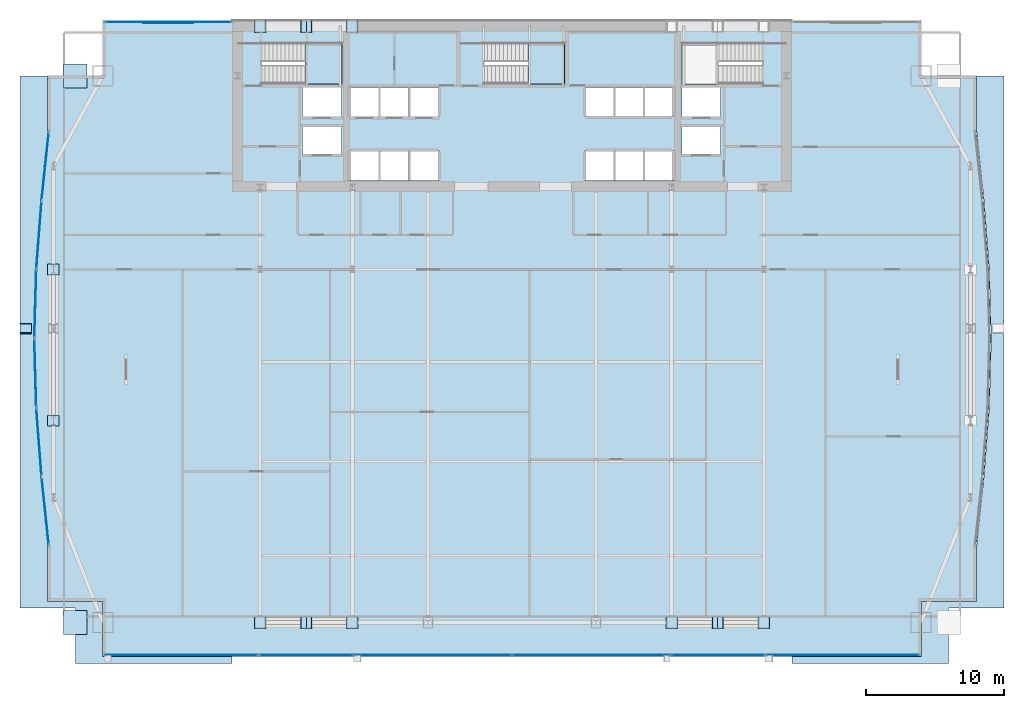
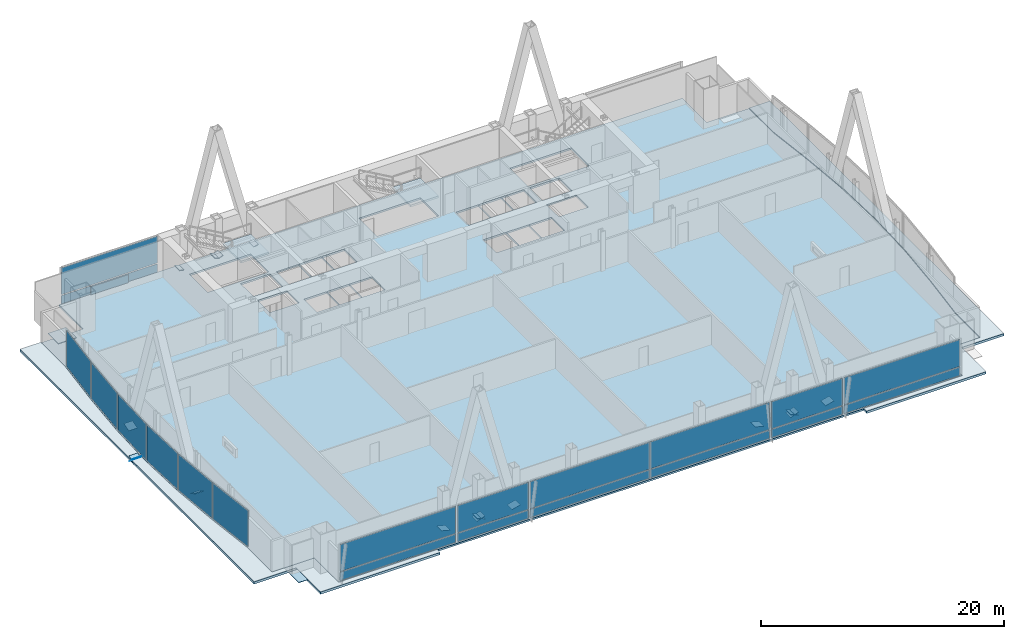
# One storey, part 25 of 32: 39 plates, 5 slabs, 14 elements without a shape of their own.
"""IFC4 building model written with IfcOpenShell, lengths in metres."""

import ifcopenshell
import ifcopenshell.guid

model = None  # the IFC model being written
_history = None  # IfcOwnerHistory: only IFC2X3 demands one
_inside = {}  # id of a spatial element -> (the spatial element, [elements in it])
_under = {}  # id of a project, library or spatial element -> (it, [spatial elements below it])
_declared = {}  # id of a project -> (the project, [libraries it declares])
_typed = {}  # id of a type object -> (the type object, [elements of that type])
_made_of = {}  # id of a material, layer set ... -> (it, [elements and type objects made of it])


def new_model(schema):
    """Start an empty IFC model of exactly this schema.

    Asked for "IFC4X3", IfcOpenShell would pick the latest addendum, in which some entities
    have other attributes; the version numbers below select the first issue.
    IFC2X3 requires an IfcOwnerHistory on every rooted entity: one is made here for all.
    """
    global model, _history
    if schema == "IFC4X3":
        model = ifcopenshell.file(schema_version=(4, 3, 0, 0))
    else:
        model = ifcopenshell.file(schema=schema)
    _inside.clear()
    _under.clear()
    _declared.clear()
    _typed.clear()
    _made_of.clear()
    _history = None
    if model.schema == "IFC2X3":
        org = make("IfcOrganization", Name="unknown")
        user = make(
            "IfcPersonAndOrganization",
            ThePerson=make("IfcPerson", FamilyName="unknown"),
            TheOrganization=org,
        )
        app = make(
            "IfcApplication",
            ApplicationDeveloper=org,
            Version="unknown",
            ApplicationFullName="unknown",
            ApplicationIdentifier="unknown",
        )
        _history = make(
            "IfcOwnerHistory",
            OwningUser=user,
            OwningApplication=app,
            ChangeAction="ADDED",
            CreationDate=0,
        )
    return model


def make(cls, **values):
    """One entity of the class cls with the attributes given. An attribute that is None is left unset."""
    return model.create_entity(
        cls, **{name: value for name, value in values.items() if value is not None}
    )


def rooted(cls, **values):
    """An entity with a GlobalId (a new one), such as an element, a storey or a relation."""
    return make(cls, GlobalId=ifcopenshell.guid.new(), OwnerHistory=_history, **values)


def si_unit(unit_type, name, prefix=None):
    """IfcSIUnit, for example si_unit("LENGTHUNIT", "METRE", prefix="MILLI")."""
    return make("IfcSIUnit", UnitType=unit_type, Prefix=prefix, Name=name)


def assignment(units):
    """IfcUnitAssignment: the units of a project."""
    return None if units is None else make("IfcUnitAssignment", Units=units)


def point(xyz):
    """IfcCartesianPoint."""
    return None if xyz is None else make("IfcCartesianPoint", Coordinates=xyz)


def direction(xyz):
    """IfcDirection."""
    return None if xyz is None else make("IfcDirection", DirectionRatios=xyz)


def frame(location, z_axis=None, x_axis=None):
    """IfcAxis2Placement3D, a coordinate frame: its origin and axes. An axis left out is left unset."""
    return make(
        "IfcAxis2Placement3D",
        Location=point(location),
        Axis=direction(z_axis),
        RefDirection=direction(x_axis),
    )


def frame_2d(location, x_axis=None):
    """IfcAxis2Placement2D, a coordinate frame in the plane: its origin and x axis."""
    return make(
        "IfcAxis2Placement2D", Location=point(location), RefDirection=direction(x_axis)
    )


def origin():
    """The frame at (0, 0, 0) with its axes left unset."""
    return frame((0.0, 0.0, 0.0))


def origin_2d():
    """The frame at (0, 0) in the plane with its x axis left unset."""
    return frame_2d((0.0, 0.0))


def place(relative_to, where):
    """IfcLocalPlacement: puts the frame where relative to a parent placement (None: the world)."""
    return make(
        "IfcLocalPlacement", PlacementRelTo=relative_to, RelativePlacement=where
    )


def context(
    kind, dimensions, precision=None, world=None, true_north=None, identifier=None
):
    """IfcGeometricRepresentationContext, for example the 3D "Model" context."""
    return make(
        "IfcGeometricRepresentationContext",
        ContextIdentifier=identifier,
        ContextType=kind,
        CoordinateSpaceDimension=dimensions,
        Precision=precision,
        WorldCoordinateSystem=world,
        TrueNorth=true_north,
    )


def subcontext(parent, identifier, kind, view, scale=None):
    """IfcGeometricRepresentationSubContext, for example "Body" below "Model"."""
    return make(
        "IfcGeometricRepresentationSubContext",
        ContextIdentifier=identifier,
        ContextType=kind,
        ParentContext=parent,
        TargetScale=scale,
        TargetView=view,
    )


def project(units=None, contexts=None):
    """IfcProject with its units and contexts."""
    return rooted(
        "IfcProject",
        Name="project",
        RepresentationContexts=contexts,
        UnitsInContext=assignment(units),
    )


def spatial(cls, under=None, at=None, **own):
    """A site, building, storey or space (cls), placed at a placement, below another one or the project."""
    s = rooted(cls, ObjectPlacement=at, **own)
    if under is not None:
        _under.setdefault(under.id(), (under, []))[1].append(s)
    return s


def polyline(points):
    """IfcPolyline through the points."""
    return make("IfcPolyline", Points=[point(p) for p in points])


def profile(cls, at=None, kind="AREA", **sizes):
    """A parametric profile (cls). Its sizes go by their IFC names, for example OverallWidth=200.0."""
    return make(cls, ProfileType=kind, Position=at, **sizes)


def rectangle(**sizes):
    """IfcRectangleProfileDef."""
    return profile("IfcRectangleProfileDef", **sizes)


def outline(outer, holes=None, kind="AREA"):
    """IfcArbitraryClosedProfileDef: a profile drawn as a closed curve; with holes, ...WithVoids."""
    if holes is None:
        return make("IfcArbitraryClosedProfileDef", ProfileType=kind, OuterCurve=outer)
    return make(
        "IfcArbitraryProfileDefWithVoids",
        ProfileType=kind,
        OuterCurve=outer,
        InnerCurves=holes,
    )


def extrude(swept, where, along, depth):
    """IfcExtrudedAreaSolid: the profile swept, set in the frame where, extruded along a direction by depth."""
    return make(
        "IfcExtrudedAreaSolid",
        SweptArea=swept,
        Position=where,
        ExtrudedDirection=direction(along),
        Depth=depth,
    )


def shape(context_of_items, identifier, shape_type, items):
    """IfcShapeRepresentation: the items that make up one representation, for example the "Body"."""
    return make(
        "IfcShapeRepresentation",
        ContextOfItems=context_of_items,
        RepresentationIdentifier=identifier,
        RepresentationType=shape_type,
        Items=items,
    )


def material(Name=None, Category=None):
    """IfcMaterial."""
    return make("IfcMaterial", Name=Name, Category=Category)


def layer(
    of_material, thickness, ventilated=None, Name=None, Category=None, Priority=None
):
    """IfcMaterialLayer: one layer of a wall or slab, of a material (None: an air gap)."""
    return make(
        "IfcMaterialLayer",
        Material=of_material,
        LayerThickness=thickness,
        IsVentilated=ventilated,
        Name=Name,
        Category=Category,
        Priority=Priority,
    )


def layer_set(layers, Name=None):
    """IfcMaterialLayerSet."""
    return make("IfcMaterialLayerSet", MaterialLayers=layers, LayerSetName=Name)


def made_of(thing, what):
    """Note that an element or type object is made of a material, layer set ...; save() writes the relation."""
    if what is not None:
        _made_of.setdefault(what.id(), (what, []))[1].append(thing)
    return thing


def type_object(cls, material=None, **own):
    """A type object (cls), such as IfcWallType, which elements share."""
    return made_of(rooted(cls, **own), material)


def element(
    cls,
    number,
    at=None,
    inside=None,
    cuts=None,
    type_object=None,
    material=None,
    context=None,
    identifier="Body",
    shape_type=None,
    held_by="IfcProductDefinitionShape",
    body=None,
    shapes=None,
    **own,
):
    """One element of the class cls, such as IfcWall. Its Tag is "e" and its number.

    at: its placement. inside: the storey or other place that contains it. cuts: it is an
    opening in that element (IfcRelVoidsElement). A single representation is given by context,
    identifier, shape_type and body (its items); several are given by shapes. held_by: the class
    of the entity that holds the representations. save() writes the other relations.
    """
    e = rooted(cls, Tag="e%d" % number, ObjectPlacement=at, **own)
    if body is not None:
        shapes = [shape(context, identifier, shape_type, body)]
    if shapes is not None:
        e.Representation = make(held_by, Representations=shapes)
    if inside is not None:
        _inside.setdefault(inside.id(), (inside, []))[1].append(e)
    if cuts is not None:
        rooted(
            "IfcRelVoidsElement", RelatingBuildingElement=cuts, RelatedOpeningElement=e
        )
    if type_object is not None:
        _typed.setdefault(type_object.id(), (type_object, []))[1].append(e)
    return made_of(e, material)


def aggregate(whole, parts):
    """IfcRelAggregates: a whole, such as a stair, and the parts it consists of."""
    return rooted("IfcRelAggregates", RelatingObject=whole, RelatedObjects=parts)


def save(model, path):
    """Write the relations noted so far, then the file.

    IfcRelAggregates (storeys below a building ...), IfcRelContainedInSpatialStructure (elements
    in a storey), IfcRelDefinesByType, IfcRelAssociatesMaterial and IfcRelDeclares: one each for
    every whole, place, type object, material and project.
    """
    for whole, parts in _under.values():
        aggregate(whole, parts)
    for where, things in _inside.values():
        rooted(
            "IfcRelContainedInSpatialStructure",
            RelatedElements=things,
            RelatingStructure=where,
        )
    for kind, things in _typed.values():
        rooted("IfcRelDefinesByType", RelatedObjects=things, RelatingType=kind)
    for what, things in _made_of.values():
        rooted("IfcRelAssociatesMaterial", RelatedObjects=things, RelatingMaterial=what)
    for by, libraries in _declared.values():
        rooted("IfcRelDeclares", RelatingContext=by, RelatedDefinitions=libraries)
    model.write(path)


model = new_model("IFC4")

# Units and contexts
model_context = context("Model", 3, precision=1e-05, world=origin(), true_north=direction((0.0, 1.0)))
body_context = subcontext(model_context, "Body", "Model", "MODEL_VIEW")
ifc_project = project(units=[si_unit("LENGTHUNIT", "METRE"), si_unit("AREAUNIT", "SQUARE_METRE"), si_unit("VOLUMEUNIT", "CUBIC_METRE"), si_unit("PLANEANGLEUNIT", "RADIAN"), si_unit("MASSUNIT", "GRAM", prefix="KILO")], contexts=[model_context])

# Site, building, storey
site_placement = place(None, origin())
site = spatial("IfcSite", under=ifc_project, at=site_placement, CompositionType="ELEMENT")
building_placement = place(site_placement, origin())
building = spatial("IfcBuilding", under=site, at=building_placement, Name="Khoronbel Lancet Exchange", CompositionType="ELEMENT")
storey_placement = place(building_placement, frame((0.0, 0.0, 81.800048828125)))
storey = spatial("IfcBuildingStorey", under=building, at=storey_placement, Name="L19", CompositionType="ELEMENT", Elevation=81.800048828125)

# Curtain wall, plate
ifc_material_1 = material(Name="Low-E Solar Control Insulating Glass", Category="glass")
curtain_wall_type_1 = type_object("IfcCurtainWallType", Name="CW-4", PredefinedType="NOTDEFINED", material=ifc_material_1)
curtain_wall_1_placement = place(storey_placement, origin())
curtain_wall_1 = element("IfcCurtainWall", 1, at=curtain_wall_1_placement, inside=storey, type_object=curtain_wall_type_1, Name="Unitised curtain wall CW-L19-E05", PredefinedType="NOTDEFINED")
ifc_material_2 = material(Name="Bronze-Anodised Aluminium 6063-T6", Category="aluminium")
ifc_layer_1 = layer(ifc_material_2, 0.050048828125, Name="Bronze-Anodised Aluminium 6063-T6")
ifc_layer_set_1 = layer_set([ifc_layer_1], Name="Bronze-Anodised Aluminium 6063-T6")
plate_type_1 = type_object("IfcPlateType", Name="PLT-CSP1", PredefinedType="SHEET", material=ifc_layer_set_1)
plate_1_placement = place(storey_placement, frame((2.22265625, 23.206298828125, 0.0849609375), z_axis=(0.0, 0.0, 1.0), x_axis=(-0.076626304874, 0.997059882555, 0.0)))
plate_1 = element("IfcPlate", 2, at=plate_1_placement, type_object=plate_type_1, Name="CW4 panel 1.1", PredefinedType="CURTAIN_PANEL", context=body_context, shape_type="SweptSolid", body=[
    extrude(rectangle(XDim=4.861328125, YDim=0.0380859375, at=origin_2d()), origin(), (0.0, 0.0, 1.0), 3.610107421875),
])
aggregate(curtain_wall_1, [plate_1])

curtain_wall_2_placement = place(storey_placement, origin())
curtain_wall_2 = element("IfcCurtainWall", 3, at=curtain_wall_2_placement, inside=storey, type_object=curtain_wall_type_1, Name="Unitised curtain wall CW-L19-E06", PredefinedType="NOTDEFINED")
plate_2_placement = place(storey_placement, frame((1.960205078125, 28.202392578125, 0.0849609375), z_axis=(0.0, 0.0, 1.0), x_axis=(-0.028135315146, 0.999604123662, 0.0)))
plate_2 = element("IfcPlate", 4, at=plate_2_placement, type_object=plate_type_1, Name="CW4 panel 1.1", PredefinedType="CURTAIN_PANEL", context=body_context, shape_type="SweptSolid", body=[
    extrude(rectangle(XDim=4.84716796875, YDim=0.0380859375, at=origin_2d()), origin(), (0.0, 0.0, 1.0), 3.610107421875),
])
aggregate(curtain_wall_2, [plate_2])

curtain_wall_3_placement = place(storey_placement, origin())
curtain_wall_3 = element("IfcCurtainWall", 5, at=curtain_wall_3_placement, inside=storey, type_object=curtain_wall_type_1, Name="Unitised curtain wall CW-L19-E07", PredefinedType="NOTDEFINED")
plate_3_placement = place(storey_placement, frame((1.960205078125, 33.19775390625, 0.0849609375), z_axis=(0.0, 0.0, 1.0), x_axis=(0.028135315146, 0.999604123662, 0.0)))
plate_3 = element("IfcPlate", 6, at=plate_3_placement, type_object=plate_type_1, Name="CW4 panel 1.1", PredefinedType="CURTAIN_PANEL", context=body_context, shape_type="SweptSolid", body=[
    extrude(rectangle(XDim=4.84716796875, YDim=0.0380859375, at=origin_2d()), origin(), (0.0, 0.0, 1.0), 3.610107421875),
])
aggregate(curtain_wall_3, [plate_3])

curtain_wall_4_placement = place(storey_placement, origin())
curtain_wall_4 = element("IfcCurtainWall", 7, at=curtain_wall_4_placement, inside=storey, type_object=curtain_wall_type_1, Name="Unitised curtain wall CW-L19-E08", PredefinedType="NOTDEFINED")
plate_4_placement = place(storey_placement, frame((2.22265625, 38.193603515625, 0.0849609375), z_axis=(0.0, 0.0, 1.0), x_axis=(0.076626304874, 0.997059882555, 0.0)))
plate_4 = element("IfcPlate", 8, at=plate_4_placement, type_object=plate_type_1, Name="CW4 panel 1.1", PredefinedType="CURTAIN_PANEL", context=body_context, shape_type="SweptSolid", body=[
    extrude(rectangle(XDim=4.861328125, YDim=0.0380859375, at=origin_2d()), origin(), (0.0, 0.0, 1.0), 3.610107421875),
])
aggregate(curtain_wall_4, [plate_4])

curtain_wall_type_2 = type_object("IfcCurtainWallType", Name="CW-2", PredefinedType="NOTDEFINED", material=ifc_material_1)
curtain_wall_5_placement = place(storey_placement, origin())
curtain_wall_5 = element("IfcCurtainWall", 9, at=curtain_wall_5_placement, inside=storey, type_object=curtain_wall_type_2, Name="Unitised curtain wall CW-L19-NWFLK", PredefinedType="NOTDEFINED")
plate_5_placement = place(storey_placement, frame((11.580078125, 53.550048828125, 0.0498046875), z_axis=(0.0, 0.0, 1.0), x_axis=(-1.0, 0.0, 0.0)))
plate_5 = element("IfcPlate", 10, at=plate_5_placement, type_object=plate_type_1, Name="Insulated bronze spandrel cassette CW-L19-NWFLK", PredefinedType="SHEET", context=body_context, shape_type="SweptSolid", body=[
    extrude(rectangle(XDim=3.60009765625, YDim=0.050048828125, at=origin_2d()), origin(), (0.0, 0.0, 1.0), 0.800048828125),
])

# Curtain wall, plates
curtain_wall_6_placement = place(storey_placement, origin())
curtain_wall_6 = element("IfcCurtainWall", 11, at=curtain_wall_6_placement, inside=storey, type_object=curtain_wall_type_2, Name="Unitised curtain wall CW-L19-SWB", PredefinedType="NOTDEFINED")
plate_6_placement = place(storey_placement, frame((21.550048828125, 7.7900390625, 0.0849609375), z_axis=(0.0, 0.0, 1.0), x_axis=(1.0, 0.0, 0.0)))
plate_6 = element("IfcPlate", 12, at=plate_6_placement, type_object=plate_type_1, Name="CW2 panel 1.1", PredefinedType="CURTAIN_PANEL", context=body_context, shape_type="SweptSolid", body=[
    extrude(rectangle(XDim=6.72998046875, YDim=0.0380859375, at=origin_2d()), origin(), (0.0, 0.0, 1.0), 0.822509765625),
])
plate_7_placement = place(storey_placement, frame((21.550048828125, 7.7900390625, 0.99267578125), z_axis=(0.0, 0.0, 1.0), x_axis=(1.0, 0.0, 0.0)))
plate_7 = element("IfcPlate", 13, at=plate_7_placement, type_object=plate_type_1, Name="CW2 panel 1.2", PredefinedType="CURTAIN_PANEL", context=body_context, shape_type="SweptSolid", body=[
    extrude(rectangle(XDim=6.72998046875, YDim=0.0380859375, at=origin_2d()), origin(), (0.0, 0.0, 1.0), 2.702392578125),
])
aggregate(curtain_wall_6, [plate_6, plate_7])

curtain_wall_7_placement = place(storey_placement, origin())
curtain_wall_7 = element("IfcCurtainWall", 14, at=curtain_wall_7_placement, inside=storey, type_object=curtain_wall_type_2, Name="Unitised curtain wall CW-L19-SEB", PredefinedType="NOTDEFINED")
plate_8_placement = place(storey_placement, frame((51.35009765625, 7.7900390625, 0.0849609375), z_axis=(0.0, 0.0, 1.0), x_axis=(1.0, 0.0, 0.0)))
plate_8 = element("IfcPlate", 15, at=plate_8_placement, type_object=plate_type_1, Name="CW2 panel 1.1", PredefinedType="CURTAIN_PANEL", context=body_context, shape_type="SweptSolid", body=[
    extrude(rectangle(XDim=6.72998046875, YDim=0.0380859375, at=origin_2d()), origin(), (0.0, 0.0, 1.0), 0.822509765625),
])
plate_9_placement = place(storey_placement, frame((51.35009765625, 7.7900390625, 0.99267578125), z_axis=(0.0, 0.0, 1.0), x_axis=(1.0, 0.0, 0.0)))
plate_9 = element("IfcPlate", 16, at=plate_9_placement, type_object=plate_type_1, Name="CW2 panel 1.2", PredefinedType="CURTAIN_PANEL", context=body_context, shape_type="SweptSolid", body=[
    extrude(rectangle(XDim=6.72998046875, YDim=0.0380859375, at=origin_2d()), origin(), (0.0, 0.0, 1.0), 2.702392578125),
])
aggregate(curtain_wall_7, [plate_8, plate_9])

# Plate
ifc_layer_2 = layer(ifc_material_1, 0.035888671875, Name="Low-E Solar Control Insulating Glass")
ifc_layer_set_2 = layer_set([ifc_layer_2], Name="Low-E Solar Control Insulating Glass")
plate_type_2 = type_object("IfcPlateType", Name="PLT-CWP1", PredefinedType="CURTAIN_PANEL", material=ifc_layer_set_2)
plate_10_placement = place(storey_placement, frame((11.580078125, 53.610107421875, 0.0849609375), z_axis=(0.0, 0.0, 1.0), x_axis=(-1.0, 0.0, 0.0)))
plate_10 = element("IfcPlate", 17, at=plate_10_placement, type_object=plate_type_2, Name="CW2 panel 1.1", PredefinedType="CURTAIN_PANEL", context=body_context, shape_type="SweptSolid", body=[
    extrude(rectangle(XDim=9.110107421875, YDim=0.0380859375, at=origin_2d()), origin(), (0.0, 0.0, 1.0), 0.822509765625),
])

plate_11_placement = place(storey_placement, frame((11.580078125, 53.610107421875, 0.99267578125), z_axis=(0.0, 0.0, 1.0), x_axis=(-1.0, 0.0, 0.0)))
plate_11 = element("IfcPlate", 18, at=plate_11_placement, type_object=plate_type_2, Name="CW2 panel 1.2", PredefinedType="CURTAIN_PANEL", context=body_context, shape_type="SweptSolid", body=[
    extrude(rectangle(XDim=9.110107421875, YDim=0.0380859375, at=origin_2d()), origin(), (0.0, 0.0, 1.0), 2.702392578125),
])

aggregate(curtain_wall_5, [plate_10, plate_11, plate_5])

# Curtain wall, plates
curtain_wall_8_placement = place(storey_placement, origin())
curtain_wall_8 = element("IfcCurtainWall", 19, at=curtain_wall_8_placement, inside=storey, type_object=curtain_wall_type_2, Name="Unitised curtain wall CW-L19-SWV", PredefinedType="NOTDEFINED")
plate_12_placement = place(storey_placement, frame((12.52001953125, 7.7900390625, 0.0849609375), z_axis=(0.0, 0.0, 1.0), x_axis=(1.0, 0.0, 0.0)))
plate_12 = element("IfcPlate", 20, at=plate_12_placement, type_object=plate_type_2, Name="CW2 panel 1.1", PredefinedType="CURTAIN_PANEL", context=body_context, shape_type="SweptSolid", body=[
    extrude(rectangle(XDim=10.989990234375, YDim=0.0380859375, at=origin_2d()), origin(), (0.0, 0.0, 1.0), 0.822509765625),
])
plate_13_placement = place(storey_placement, frame((12.52001953125, 7.7900390625, 0.99267578125), z_axis=(0.0, 0.0, 1.0), x_axis=(1.0, 0.0, 0.0)))
plate_13 = element("IfcPlate", 21, at=plate_13_placement, type_object=plate_type_2, Name="CW2 panel 1.2", PredefinedType="CURTAIN_PANEL", context=body_context, shape_type="SweptSolid", body=[
    extrude(rectangle(XDim=10.989990234375, YDim=0.0380859375, at=origin_2d()), origin(), (0.0, 0.0, 1.0), 2.702392578125),
])
aggregate(curtain_wall_8, [plate_12, plate_13])

curtain_wall_9_placement = place(storey_placement, origin())
curtain_wall_9 = element("IfcCurtainWall", 22, at=curtain_wall_9_placement, inside=storey, type_object=curtain_wall_type_2, Name="Unitised curtain wall CW-L19-SCV", PredefinedType="NOTDEFINED")
plate_14_placement = place(storey_placement, frame((30.746337890625, 7.7900390625, 0.0849609375), z_axis=(0.0, 0.0, 1.0), x_axis=(1.0, 0.0, 0.0)))
plate_14 = element("IfcPlate", 23, at=plate_14_placement, type_object=plate_type_2, Name="CW2 panel 1.1", PredefinedType="CURTAIN_PANEL", context=body_context, shape_type="SweptSolid", body=[
    extrude(rectangle(XDim=11.322509765625, YDim=0.0380859375, at=origin_2d()), origin(), (0.0, 0.0, 1.0), 0.822509765625),
])
plate_15_placement = place(storey_placement, frame((30.746337890625, 7.7900390625, 0.99267578125), z_axis=(0.0, 0.0, 1.0), x_axis=(1.0, 0.0, 0.0)))
plate_15 = element("IfcPlate", 24, at=plate_15_placement, type_object=plate_type_2, Name="CW2 panel 1.2", PredefinedType="CURTAIN_PANEL", context=body_context, shape_type="SweptSolid", body=[
    extrude(rectangle(XDim=11.322509765625, YDim=0.0380859375, at=origin_2d()), origin(), (0.0, 0.0, 1.0), 2.702392578125),
])
plate_16_placement = place(storey_placement, frame((42.15380859375, 7.7900390625, 0.0849609375), z_axis=(0.0, 0.0, 1.0), x_axis=(1.0, 0.0, 0.0)))
plate_16 = element("IfcPlate", 25, at=plate_16_placement, type_object=plate_type_2, Name="CW2 panel 2.1", PredefinedType="CURTAIN_PANEL", context=body_context, shape_type="SweptSolid", body=[
    extrude(rectangle(XDim=11.322509765625, YDim=0.0380859375, at=origin_2d()), origin(), (0.0, 0.0, 1.0), 0.822509765625),
])
plate_17_placement = place(storey_placement, frame((42.15380859375, 7.7900390625, 0.99267578125), z_axis=(0.0, 0.0, 1.0), x_axis=(1.0, 0.0, 0.0)))
plate_17 = element("IfcPlate", 26, at=plate_17_placement, type_object=plate_type_2, Name="CW2 panel 2.2", PredefinedType="CURTAIN_PANEL", context=body_context, shape_type="SweptSolid", body=[
    extrude(rectangle(XDim=11.322509765625, YDim=0.0380859375, at=origin_2d()), origin(), (0.0, 0.0, 1.0), 2.702392578125),
])
aggregate(curtain_wall_9, [plate_14, plate_15, plate_16, plate_17])

curtain_wall_10_placement = place(storey_placement, origin())
curtain_wall_10 = element("IfcCurtainWall", 27, at=curtain_wall_10_placement, inside=storey, type_object=curtain_wall_type_2, Name="Unitised curtain wall CW-L19-SEV", PredefinedType="NOTDEFINED")
plate_18_placement = place(storey_placement, frame((60.3798828125, 7.7900390625, 0.0849609375), z_axis=(0.0, 0.0, 1.0), x_axis=(1.0, 0.0, 0.0)))
plate_18 = element("IfcPlate", 28, at=plate_18_placement, type_object=plate_type_2, Name="CW2 panel 1.1", PredefinedType="CURTAIN_PANEL", context=body_context, shape_type="SweptSolid", body=[
    extrude(rectangle(XDim=10.989990234375, YDim=0.0380859375, at=origin_2d()), origin(), (0.0, 0.0, 1.0), 0.822509765625),
])
plate_19_placement = place(storey_placement, frame((60.3798828125, 7.7900390625, 0.99267578125), z_axis=(0.0, 0.0, 1.0), x_axis=(1.0, 0.0, 0.0)))
plate_19 = element("IfcPlate", 29, at=plate_19_placement, type_object=plate_type_2, Name="CW2 panel 1.2", PredefinedType="CURTAIN_PANEL", context=body_context, shape_type="SweptSolid", body=[
    extrude(rectangle(XDim=10.989990234375, YDim=0.0380859375, at=origin_2d()), origin(), (0.0, 0.0, 1.0), 2.702392578125),
])
aggregate(curtain_wall_10, [plate_18, plate_19])

# Curtain wall, plate
curtain_wall_11_placement = place(storey_placement, origin())
curtain_wall_11 = element("IfcCurtainWall", 30, at=curtain_wall_11_placement, inside=storey, type_object=curtain_wall_type_1, Name="Unitised curtain wall CW-L19-E04", PredefinedType="NOTDEFINED")
ifc_material_3 = material(Name="Ceramic-Fritted Laminated Insulating Glass", Category="glass")
ifc_layer_3 = layer(ifc_material_3, 0.0419921875, Name="Ceramic-Fritted Laminated Insulating Glass")
ifc_layer_set_3 = layer_set([ifc_layer_3], Name="Ceramic-Fritted Laminated Insulating Glass")
plate_type_3 = type_object("IfcPlateType", Name="PLT-CWP2", PredefinedType="CURTAIN_PANEL", material=ifc_layer_set_3)
plate_20_placement = place(storey_placement, frame((2.67724609375, 18.206298828125, 0.0849609375), z_axis=(0.0, 0.0, 1.0), x_axis=(-0.104434383958, 0.994531779003, 0.0)))
plate_20 = element("IfcPlate", 31, at=plate_20_placement, type_object=plate_type_3, Name="CW4 panel 1.1", PredefinedType="CURTAIN_PANEL", context=body_context, shape_type="SweptSolid", body=[
    extrude(rectangle(XDim=4.880859375, YDim=0.0380859375, at=origin_2d()), origin(), (0.0, 0.0, 1.0), 3.610107421875),
])
aggregate(curtain_wall_11, [plate_20])

curtain_wall_12_placement = place(storey_placement, origin())
curtain_wall_12 = element("IfcCurtainWall", 32, at=curtain_wall_12_placement, inside=storey, type_object=curtain_wall_type_1, Name="Unitised curtain wall CW-L19-E09", PredefinedType="NOTDEFINED")
plate_21_placement = place(storey_placement, frame((2.67724609375, 43.193603515625, 0.0849609375), z_axis=(0.0, 0.0, 1.0), x_axis=(0.104434383958, 0.994531779003, 0.0)))
plate_21 = element("IfcPlate", 33, at=plate_21_placement, type_object=plate_type_3, Name="CW4 panel 1.1", PredefinedType="CURTAIN_PANEL", context=body_context, shape_type="SweptSolid", body=[
    extrude(rectangle(XDim=4.880859375, YDim=0.0380859375, at=origin_2d()), origin(), (0.0, 0.0, 1.0), 3.610107421875),
])
aggregate(curtain_wall_12, [plate_21])

# Plates
ifc_material_4 = material(Name="Steel S460", Category="steel")
ifc_layer_4 = layer(ifc_material_4, 0.044921875, Name="Steel S460")
ifc_layer_set_4 = layer_set([ifc_layer_4], Name="Steel S460")
plate_type_4 = type_object("IfcPlateType", Name="PLT-ECP1", PredefinedType="USERDEFINED", material=ifc_layer_set_4)
plate_22_placement = place(storey_placement, frame((0.0, 0.0, -0.011962890625)))
element("IfcPlate", 34, at=plate_22_placement, inside=storey, type_object=plate_type_4, Name="Hollow end cap plate PLT-CAP-COL-L18-MC-SW-TOP", ObjectType="STIFFENER_PLATE", PredefinedType="USERDEFINED", context=body_context, shape_type="SweptSolid", body=[
    extrude(outline(polyline([(3.9951171875, 9.294921875), (5.705078125, 9.294921875), (5.705078125, 11.0048828125), (3.9951171875, 11.0048828125), (3.9951171875, 9.294921875)])), origin(), (0.0, 0.0, 1.0), 0.044921875),
])
plate_23_placement = place(storey_placement, frame((0.0, 0.0, -0.011962890625)))
element("IfcPlate", 35, at=plate_23_placement, inside=storey, type_object=plate_type_4, Name="Hollow end cap plate PLT-CAP-COL-L18-MC-NW-TOP", ObjectType="STIFFENER_PLATE", PredefinedType="USERDEFINED", context=body_context, shape_type="SweptSolid", body=[
    extrude(outline(polyline([(3.9951171875, 48.844970703125), (5.705078125, 48.844970703125), (5.705078125, 50.554931640625), (3.9951171875, 50.554931640625), (3.9951171875, 48.844970703125)])), origin(), (0.0, 0.0, 1.0), 0.044921875),
])
for number, where, z_axis, x_axis, name in (
    (36, (21.962890625, 9.72998046875, -0.13134765625), (0.385028014366, 0.0, 0.922904885756), (0.0, 1.0, 0.0), "Hollow end cap plate PLT-CAP-MEM-MB-T05-S-W-L-1"),
    (37, (21.162109375, 10.570068359375, -0.13134765625), (-0.385028014366, 0.0, 0.922904885756), (0.0, -1.0, 0.0), "Hollow end cap plate PLT-CAP-MEM-MB-T05-S-W-R-1"),
):
    element("IfcPlate", number, at=place(storey_placement, frame(where, z_axis=z_axis, x_axis=x_axis)), inside=storey, type_object=plate_type_4, Name=name, ObjectType="STIFFENER_PLATE", PredefinedType="USERDEFINED", context=body_context, shape_type="SweptSolid", body=[
        extrude(outline(polyline([(0.0, 0.0), (0.840087890625, 0.0), (0.840087890625, 0.840087890625), (0.0, 0.840087890625), (0.0, 0.0)])), origin(), (0.0, 0.0, -1.0), 0.044921875),
    ])
for number, where, z_axis, x_axis, name in (
    (38, (51.73779296875, 9.72998046875, -0.13134765625), (0.385131298134, 0.0, 0.922861789868), (0.0, 1.0, 0.0), "Hollow end cap plate PLT-CAP-MEM-MB-T05-S-E-L-1"),
    (39, (50.937255859375, 10.570068359375, -0.13134765625), (-0.385131298134, 0.0, 0.922861789868), (0.0, -1.0, 0.0), "Hollow end cap plate PLT-CAP-MEM-MB-T05-S-E-R-1"),
):
    element("IfcPlate", number, at=place(storey_placement, frame(where, z_axis=z_axis, x_axis=x_axis)), inside=storey, type_object=plate_type_4, Name=name, ObjectType="STIFFENER_PLATE", PredefinedType="USERDEFINED", context=body_context, shape_type="SweptSolid", body=[
        extrude(outline(polyline([(0.0, 0.0), (0.840087890625, 0.0), (0.840087890625, 0.83984375), (0.0, 0.83984375), (0.0, 0.0)])), origin(), (0.0, 0.0, -1.0), 0.044921875),
    ])
for number, where, z_axis, x_axis, name in (
    (40, (21.962890625, 52.860107421875, -0.13134765625), (0.385028014366, 0.0, 0.922904885756), (0.0, 1.0, 0.0), "Hollow end cap plate PLT-CAP-MEM-MB-T05-N-W-L-1"),
    (41, (21.162109375, 53.699951171875, -0.13134765625), (-0.385028014366, 0.0, 0.922904885756), (0.0, -1.0, 0.0), "Hollow end cap plate PLT-CAP-MEM-MB-T05-N-W-R-1"),
    (42, (1.68994140625, 31.7685546875, -0.243896484375), (0.0, 0.640755879276, 0.76774468619), (-1.0, 0.0, 0.0), "Hollow end cap plate PLT-CAP-MEM-MB-T05-W-P-L-1"),
):
    element("IfcPlate", number, at=place(storey_placement, frame(where, z_axis=z_axis, x_axis=x_axis)), inside=storey, type_object=plate_type_4, Name=name, ObjectType="STIFFENER_PLATE", PredefinedType="USERDEFINED", context=body_context, shape_type="SweptSolid", body=[
        extrude(outline(polyline([(0.0, 0.0), (0.83984375, 0.0), (0.83984375, 0.840087890625), (0.0, 0.840087890625), (0.0, 0.0)])), origin(), (0.0, 0.0, -1.0), 0.044921875),
    ])
plate_24_placement = place(storey_placement, frame((0.85009765625, 31.0390625, -0.1689453125), z_axis=(0.0, -0.471463024334, 0.881885829734), x_axis=(1.0, 0.0, 0.0)))
element("IfcPlate", 43, at=plate_24_placement, inside=storey, type_object=plate_type_4, Name="Hollow end cap plate PLT-CAP-MEM-MB-T05-W-P-R-1", ObjectType="STIFFENER_PLATE", PredefinedType="USERDEFINED", context=body_context, shape_type="SweptSolid", body=[
    extrude(outline(polyline([(0.0, 0.0), (0.83984375, 0.0), (0.83984375, 0.83984375), (0.0, 0.83984375), (0.0, 0.0)])), origin(), (0.0, 0.0, -1.0), 0.044921875),
])
for number, where, z_axis, x_axis, name in (
    (44, (18.634521484375, 9.72998046875, -0.094482421875), (0.252232622702, 0.0, 0.967666628568), (0.0, 1.0, 0.0), "Hollow end cap plate PLT-CAP-MEM-MB-T06-S-W-L-0"),
    (45, (24.490478515625, 10.570068359375, -0.094482421875), (-0.252232622702, 0.0, 0.967666628568), (0.0, -1.0, 0.0), "Hollow end cap plate PLT-CAP-MEM-MB-T06-S-W-R-0"),
):
    element("IfcPlate", number, at=place(storey_placement, frame(where, z_axis=z_axis, x_axis=x_axis)), inside=storey, type_object=plate_type_4, Name=name, ObjectType="STIFFENER_PLATE", PredefinedType="USERDEFINED", context=body_context, shape_type="SweptSolid", body=[
        extrude(outline(polyline([(0.0, 0.0), (0.840087890625, 0.0), (0.840087890625, 0.840087890625), (0.0, 0.840087890625), (0.0, 0.0)])), origin(), (0.0, 0.0, -1.0), 0.044921875),
    ])
for number, where, z_axis, x_axis, name in (
    (46, (48.409423828125, 9.72998046875, -0.094482421875), (0.252303568477, 0.0, 0.967648133018), (0.0, 1.0, 0.0), "Hollow end cap plate PLT-CAP-MEM-MB-T06-S-E-L-0"),
    (47, (54.265625, 10.570068359375, -0.094482421875), (-0.252303568477, 0.0, 0.967648133018), (0.0, -1.0, 0.0), "Hollow end cap plate PLT-CAP-MEM-MB-T06-S-E-R-0"),
):
    element("IfcPlate", number, at=place(storey_placement, frame(where, z_axis=z_axis, x_axis=x_axis)), inside=storey, type_object=plate_type_4, Name=name, ObjectType="STIFFENER_PLATE", PredefinedType="USERDEFINED", context=body_context, shape_type="SweptSolid", body=[
        extrude(outline(polyline([(0.0, 0.0), (0.840087890625, 0.0), (0.840087890625, 0.83984375), (0.0, 0.83984375), (0.0, 0.0)])), origin(), (0.0, 0.0, -1.0), 0.044921875),
    ])
for number, where, z_axis, x_axis, name in (
    (48, (18.634521484375, 52.860107421875, -0.094482421875), (0.252232622702, 0.0, 0.967666628568), (0.0, 1.0, 0.0), "Hollow end cap plate PLT-CAP-MEM-MB-T06-N-W-L-0"),
    (49, (24.490478515625, 53.699951171875, -0.094482421875), (-0.252232622702, 0.0, 0.967666628568), (0.0, -1.0, 0.0), "Hollow end cap plate PLT-CAP-MEM-MB-T06-N-W-R-0"),
    (50, (3.68994140625, 25.1279296875, -0.18359375), (0.0, 0.462377287185, 0.886683282968), (-1.0, 0.0, 0.0), "Hollow end cap plate PLT-CAP-MEM-MB-T06-W-P-L-0"),
):
    element("IfcPlate", number, at=place(storey_placement, frame(where, z_axis=z_axis, x_axis=x_axis)), inside=storey, type_object=plate_type_4, Name=name, ObjectType="STIFFENER_PLATE", PredefinedType="USERDEFINED", context=body_context, shape_type="SweptSolid", body=[
        extrude(outline(polyline([(0.0, 0.0), (0.83984375, 0.0), (0.83984375, 0.840087890625), (0.0, 0.840087890625), (0.0, 0.0)])), origin(), (0.0, 0.0, -1.0), 0.044921875),
    ])
plate_25_placement = place(storey_placement, frame((2.85009765625, 35.2978515625, -0.121826171875), z_axis=(0.0, -0.316838122626, 0.948479627641), x_axis=(1.0, 0.0, 0.0)))
element("IfcPlate", 51, at=plate_25_placement, inside=storey, type_object=plate_type_4, Name="Hollow end cap plate PLT-CAP-MEM-MB-T06-W-P-R-0", ObjectType="STIFFENER_PLATE", PredefinedType="USERDEFINED", context=body_context, shape_type="SweptSolid", body=[
    extrude(outline(polyline([(0.0, 0.0), (0.83984375, 0.0), (0.83984375, 0.83984375), (0.0, 0.83984375), (0.0, 0.0)])), origin(), (0.0, 0.0, -1.0), 0.044921875),
])

# Slab
ifc_material_5 = material(Name="Concrete C40/50", Category="concrete")
ifc_layer_5 = layer(ifc_material_5, 0.179931640625, Name="Concrete C40/50")
ifc_layer_set_5 = layer_set([ifc_layer_5], Name="Concrete C40/50")
slab_type_1 = type_object("IfcSlabType", Name="SL-FL180", PredefinedType="FLOOR", material=ifc_layer_set_5)
slab_1_placement = place(storey_placement, frame((0.0, 0.0, -0.179931640625)))
element("IfcSlab", 52, at=slab_1_placement, inside=storey, type_object=slab_type_1, Name="Level L19 composite structural floor slab", PredefinedType="FLOOR", context=body_context, shape_type="SweptSolid", body=[
    extrude(outline(polyline([(6.85009765625, 7.699951171875), (66.050048828125, 7.699951171875), (66.050048828125, 11.699951171875), (70.050048828125, 11.699951171875), (70.050048828125, 15.699951171875), (70.574951171875, 20.699951171875), (70.959228515625, 25.699951171875), (71.10009765625, 30.699951171875), (70.959228515625, 35.699951171875), (70.574951171875, 40.699951171875), (70.050048828125, 45.699951171875), (70.050048828125, 49.699951171875), (66.050048828125, 49.699951171875), (66.050048828125, 53.699951171875), (6.85009765625, 53.699951171875), (6.85009765625, 49.699951171875), (2.85009765625, 49.699951171875), (2.85009765625, 45.699951171875), (2.324951171875, 40.699951171875), (1.940673828125, 35.699951171875), (1.800048828125, 30.699951171875), (1.940673828125, 25.699951171875), (2.324951171875, 20.699951171875), (2.85009765625, 15.699951171875), (2.85009765625, 11.699951171875), (6.85009765625, 11.699951171875), (6.85009765625, 7.699951171875)]), holes=[polyline([(18.324951171875, 49.1201171875), (24.14990234375, 49.1201171875), (24.14990234375, 52.10009765625), (18.324951171875, 52.10009765625), (18.324951171875, 49.1201171875)]), polyline([(48.75, 49.1201171875), (54.574951171875, 49.1201171875), (54.574951171875, 52.10009765625), (48.75, 52.10009765625), (48.75, 49.1201171875)]), polyline([(34.425048828125, 49.1201171875), (40.25, 49.1201171875), (40.25, 52.10009765625), (34.425048828125, 52.10009765625), (34.425048828125, 49.1201171875)]), polyline([(24.699951171875, 46.75), (26.840087890625, 46.75), (26.840087890625, 48.85009765625), (24.699951171875, 48.85009765625), (24.699951171875, 46.75)]), polyline([(26.860107421875, 46.75), (29.0, 46.75), (29.0, 48.85009765625), (26.860107421875, 48.85009765625), (26.860107421875, 46.75)]), polyline([(29.02001953125, 46.75), (31.159912109375, 46.75), (31.159912109375, 48.85009765625), (29.02001953125, 48.85009765625), (29.02001953125, 46.75)]), polyline([(24.699951171875, 42.14990234375), (26.840087890625, 42.14990234375), (26.840087890625, 44.300048828125), (24.699951171875, 44.300048828125), (24.699951171875, 42.14990234375)]), polyline([(26.860107421875, 42.14990234375), (29.0, 42.14990234375), (29.0, 44.300048828125), (26.860107421875, 44.300048828125), (26.860107421875, 42.14990234375)]), polyline([(29.02001953125, 42.14990234375), (31.159912109375, 42.14990234375), (31.159912109375, 44.300048828125), (29.02001953125, 44.300048828125), (29.02001953125, 42.14990234375)]), polyline([(41.739990234375, 46.75), (43.8798828125, 46.75), (43.8798828125, 48.85009765625), (41.739990234375, 48.85009765625), (41.739990234375, 46.75)]), polyline([(43.89990234375, 46.75), (46.0400390625, 46.75), (46.0400390625, 48.85009765625), (43.89990234375, 48.85009765625), (43.89990234375, 46.75)]), polyline([(46.06005859375, 46.75), (48.199951171875, 46.75), (48.199951171875, 48.85009765625), (46.06005859375, 48.85009765625), (46.06005859375, 46.75)]), polyline([(41.739990234375, 42.14990234375), (43.8798828125, 42.14990234375), (43.8798828125, 44.300048828125), (41.739990234375, 44.300048828125), (41.739990234375, 42.14990234375)]), polyline([(43.89990234375, 42.14990234375), (46.0400390625, 42.14990234375), (46.0400390625, 44.300048828125), (43.89990234375, 44.300048828125), (43.89990234375, 42.14990234375)]), polyline([(46.06005859375, 42.14990234375), (48.199951171875, 42.14990234375), (48.199951171875, 44.300048828125), (46.06005859375, 44.300048828125), (46.06005859375, 42.14990234375)]), polyline([(21.300048828125, 46.75), (24.10009765625, 46.75), (24.10009765625, 48.85009765625), (21.300048828125, 48.85009765625), (21.300048828125, 46.75)]), polyline([(48.75, 46.75), (51.550048828125, 46.75), (51.550048828125, 48.85009765625), (48.75, 48.85009765625), (48.75, 46.75)]), polyline([(21.300048828125, 44.050048828125), (24.10009765625, 44.050048828125), (24.10009765625, 46.050048828125), (21.300048828125, 46.050048828125), (21.300048828125, 44.050048828125)]), polyline([(48.75, 44.050048828125), (51.550048828125, 44.050048828125), (51.550048828125, 46.050048828125), (48.75, 46.050048828125), (48.75, 44.050048828125)])]), origin(), (0.0, 0.0, 1.0), 0.179931640625),
])

# Stair, slab
stair_type = type_object("IfcStairType", Name="STR-CORE150", PredefinedType="HALF_TURN_STAIR", material=ifc_material_5)
stair_1_placement = place(storey_placement, origin())
stair_1 = element("IfcStair", 53, at=stair_1_placement, inside=storey, type_object=stair_type, Name="L19 Protected Exit Stair ST1", PredefinedType="HALF_TURN_STAIR")
ifc_layer_6 = layer(ifc_material_5, 0.199951171875, Name="Concrete C40/50")
ifc_layer_set_6 = layer_set([ifc_layer_6], Name="Concrete C40/50")
slab_type_2 = type_object("IfcSlabType", Name="SL-LND180", PredefinedType="LANDING", material=ifc_layer_set_6)
slab_2_placement = place(storey_placement, frame((0.0, 0.0, 1.800048828125)))
slab_2 = element("IfcSlab", 54, at=slab_2_placement, type_object=slab_type_2, Name="ST1 landing 1", PredefinedType="LANDING", context=body_context, shape_type="SweptSolid", body=[
    extrude(outline(polyline([(21.489990234375, 49.1201171875), (24.14990234375, 49.1201171875), (24.14990234375, 52.10009765625), (21.489990234375, 52.10009765625), (21.489990234375, 49.1201171875)])), origin(), (0.0, 0.0, 1.0), 0.199951171875),
])
aggregate(stair_1, [slab_2])

stair_2_placement = place(storey_placement, origin())
stair_2 = element("IfcStair", 55, at=stair_2_placement, inside=storey, type_object=stair_type, Name="L19 Protected Exit Stair ST3", PredefinedType="HALF_TURN_STAIR")
slab_3_placement = place(storey_placement, frame((0.0, 0.0, 1.800048828125)))
slab_3 = element("IfcSlab", 56, at=slab_3_placement, type_object=slab_type_2, Name="ST3 landing 1", PredefinedType="LANDING", context=body_context, shape_type="SweptSolid", body=[
    extrude(outline(polyline([(37.590087890625, 49.1201171875), (40.25, 49.1201171875), (40.25, 52.10009765625), (37.590087890625, 52.10009765625), (37.590087890625, 49.1201171875)])), origin(), (0.0, 0.0, 1.0), 0.199951171875),
])
aggregate(stair_2, [slab_3])

# Slabs
ifc_layer_7 = layer(ifc_material_5, 0.22998046875, Name="Concrete C40/50")
ifc_layer_set_7 = layer_set([ifc_layer_7], Name="Concrete C40/50")
slab_type_3 = type_object("IfcSlabType", Name="SL-ROOF220", PredefinedType="ROOF", material=ifc_layer_set_7)
slab_4_placement = place(storey_placement, frame((0.0, 0.0, -0.179931640625)))
element("IfcSlab", 57, at=slab_4_placement, inside=storey, type_object=slab_type_3, Name="Level L19 setback roof slab 1", PredefinedType="ROOF", context=body_context, shape_type="SweptSolid", body=[
    extrude(outline(polyline([(4.85009765625, 7.199951171875), (4.85009765625, 11.199951171875), (0.85009765625, 11.199951171875), (0.85009765625, 15.199951171875), (0.85009765625, 45.699951171875), (0.85009765625, 49.699951171875), (2.830078125, 49.699951171875), (2.830078125, 45.700927734375), (2.30517578125, 40.7021484375), (2.30517578125, 40.701416015625), (1.9208984375, 35.701416015625), (1.920654296875, 35.70068359375), (1.780029296875, 30.70068359375), (1.780029296875, 30.699462890625), (1.920654296875, 25.699462890625), (1.9208984375, 25.698486328125), (2.30517578125, 20.698486328125), (2.30517578125, 20.697998046875), (2.830078125, 15.698974609375), (2.830078125, 11.699951171875), (2.830078125, 11.697998046875), (2.830322265625, 11.696044921875), (2.830810546875, 11.694091796875), (2.83154296875, 11.6923828125), (2.83251953125, 11.690673828125), (2.83349609375, 11.68896484375), (2.83447265625, 11.687255859375), (2.8359375, 11.685791015625), (2.83740234375, 11.6845703125), (2.8388671875, 11.683349609375), (2.840576171875, 11.682373046875), (2.84228515625, 11.681396484375), (2.84423828125, 11.680908203125), (2.84619140625, 11.680419921875), (2.847900390625, 11.68017578125), (2.85009765625, 11.679931640625), (6.830078125, 11.679931640625), (6.830078125, 7.699951171875), (6.830078125, 7.697998046875), (6.830322265625, 7.696044921875), (6.830810546875, 7.694091796875), (6.83154296875, 7.6923828125), (6.83251953125, 7.690673828125), (6.83349609375, 7.68896484375), (6.83447265625, 7.687255859375), (6.8359375, 7.685791015625), (6.83740234375, 7.6845703125), (6.8388671875, 7.683349609375), (6.840576171875, 7.682373046875), (6.84228515625, 7.681396484375), (6.84423828125, 7.680908203125), (6.84619140625, 7.680419921875), (6.847900390625, 7.68017578125), (6.85009765625, 7.679931640625), (16.199951171875, 7.679931640625), (16.199951171875, 7.199951171875), (4.85009765625, 7.199951171875)])), origin(), (0.0, 0.0, 1.0), 0.22998046875),
])
slab_5_placement = place(storey_placement, frame((0.0, 0.0, -0.179931640625)))
element("IfcSlab", 58, at=slab_5_placement, inside=storey, type_object=slab_type_3, Name="Level L19 setback roof slab 2", PredefinedType="ROOF", context=body_context, shape_type="SweptSolid", body=[
    extrude(outline(polyline([(72.050048828125, 45.699951171875), (72.050048828125, 15.199951171875), (72.050048828125, 11.199951171875), (68.050048828125, 11.199951171875), (68.050048828125, 7.199951171875), (56.699951171875, 7.199951171875), (56.699951171875, 7.679931640625), (66.050048828125, 7.679931640625), (66.052001953125, 7.68017578125), (66.053955078125, 7.680419921875), (66.055908203125, 7.680908203125), (66.0576171875, 7.681396484375), (66.059326171875, 7.682373046875), (66.06103515625, 7.683349609375), (66.062744140625, 7.6845703125), (66.064208984375, 7.685791015625), (66.0654296875, 7.687255859375), (66.066650390625, 7.68896484375), (66.067626953125, 7.690673828125), (66.068603515625, 7.6923828125), (66.069091796875, 7.694091796875), (66.069580078125, 7.696044921875), (66.06982421875, 7.697998046875), (66.070068359375, 7.699951171875), (66.070068359375, 11.679931640625), (70.050048828125, 11.679931640625), (70.052001953125, 11.68017578125), (70.053955078125, 11.680419921875), (70.055908203125, 11.680908203125), (70.0576171875, 11.681396484375), (70.059326171875, 11.682373046875), (70.06103515625, 11.683349609375), (70.062744140625, 11.6845703125), (70.064208984375, 11.685791015625), (70.0654296875, 11.687255859375), (70.066650390625, 11.68896484375), (70.067626953125, 11.690673828125), (70.068603515625, 11.6923828125), (70.069091796875, 11.694091796875), (70.069580078125, 11.696044921875), (70.06982421875, 11.697998046875), (70.070068359375, 11.699951171875), (70.070068359375, 15.698974609375), (70.594970703125, 20.697998046875), (70.594970703125, 20.698486328125), (70.979248046875, 25.698486328125), (70.979248046875, 25.699462890625), (71.1201171875, 30.699462890625), (71.1201171875, 30.70068359375), (70.979248046875, 35.70068359375), (70.979248046875, 35.701416015625), (70.594970703125, 40.701416015625), (70.594970703125, 40.7021484375), (70.070068359375, 45.700927734375), (70.070068359375, 49.699951171875), (72.050048828125, 49.699951171875), (72.050048828125, 45.699951171875)])), origin(), (0.0, 0.0, 1.0), 0.22998046875),
])

save(model, "model.ifc")
